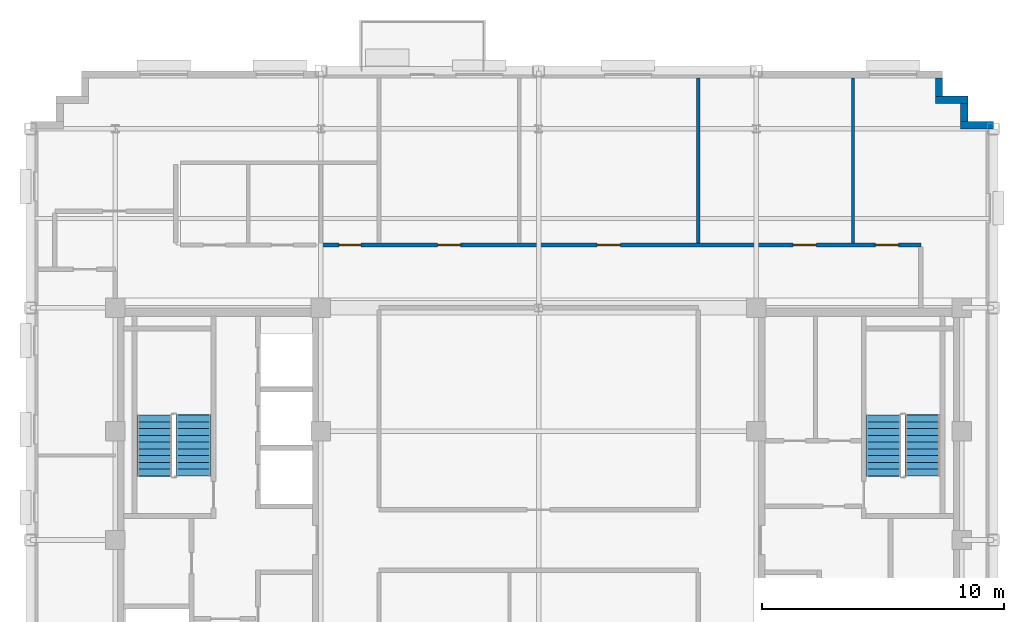
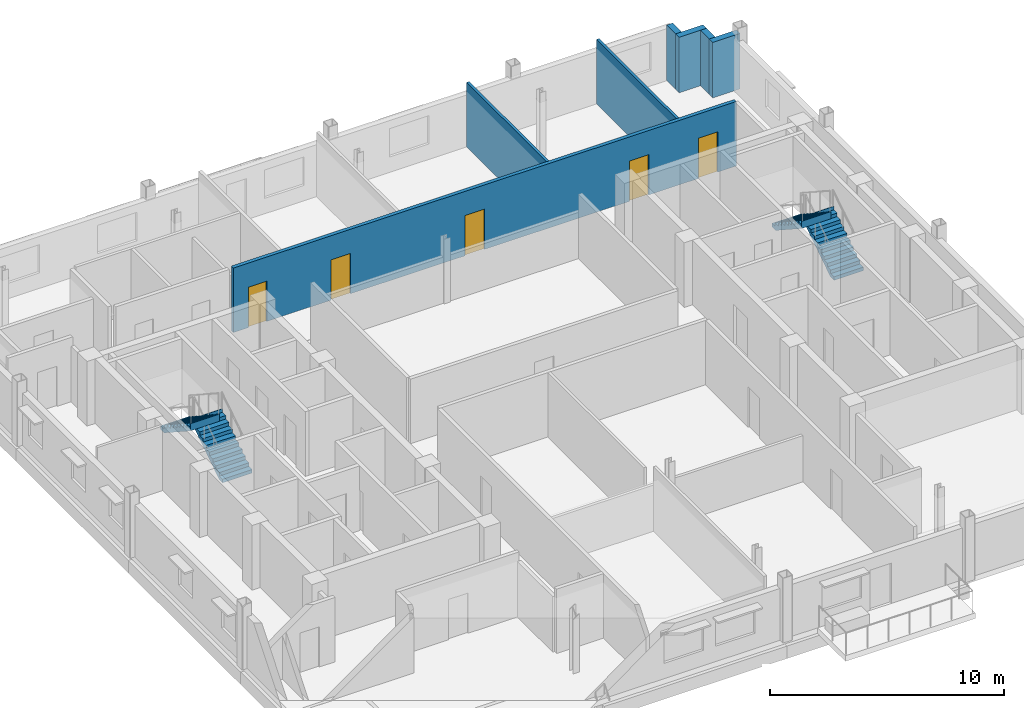
# One storey, part 9 of 13: 7 walls, 5 doors, 4 stair flights, 5 openings, 2 elements without a shape of their own.
"""IFC4 building model written with IfcOpenShell, lengths in metres."""

from ifc_helpers import new_model, si_unit, direction, frame, frame_2d, origin, place, context, subcontext, project, spatial, polyline, rectangle, outline, extrude, source, transform, mapped, material, layer, layer_set, type_object, type_shapes, element, fill, aggregate, save


model = new_model("IFC4")

# Units and contexts
model_context = context("Model", 3, precision=1e-05, world=origin(), true_north=direction((0.0, 1.0)))
body_context = subcontext(model_context, "Body", "Model", "MODEL_VIEW")
ifc_project = project(units=[si_unit("LENGTHUNIT", "METRE"), si_unit("AREAUNIT", "SQUARE_METRE"), si_unit("VOLUMEUNIT", "CUBIC_METRE"), si_unit("PLANEANGLEUNIT", "RADIAN"), si_unit("MASSUNIT", "GRAM", prefix="KILO")], contexts=[model_context])

# Site, building, storey
site_placement = place(None, origin())
site = spatial("IfcSite", under=ifc_project, at=site_placement, CompositionType="ELEMENT")
building_placement = place(site_placement, origin())
building = spatial("IfcBuilding", under=site, at=building_placement, Name="Nuvemarco Arch Tower", CompositionType="ELEMENT")
storey_placement = place(building_placement, frame((0.0, 0.0, 265.25)))
storey = spatial("IfcBuildingStorey", under=building, at=storey_placement, Name="L70", CompositionType="ELEMENT", Elevation=265.25)

# Walls
ifc_material_1 = material(Name="Precast concrete C45/55", Category="concrete")
ifc_layer_1 = layer(ifc_material_1, 0.300048828125, Name="EW-HIGH-300")
ifc_layer_set_1 = layer_set([ifc_layer_1], Name="Precast concrete C45/55")
wall_type_1 = type_object("IfcWallType", Name="EW-HIGH-300", PredefinedType="STANDARD", material=ifc_layer_set_1)
wall_1_placement = place(storey_placement, frame((17.449951171875, 17.14990234375, 0.0), z_axis=(0.0, 0.0, 1.0), x_axis=(1.0, 0.0, 0.0)))
element("IfcWall", 1, at=wall_1_placement, inside=storey, type_object=wall_type_1, Name="L70 exterior precast facade wall 7", PredefinedType="STANDARD", context=body_context, shape_type="SweptSolid", body=[
    extrude(rectangle(XDim=1.35009765625, YDim=0.300048828125, at=frame_2d((0.675048828125, 0.0))), origin(), (0.0, 0.0, 1.0), 2.89208984375),
])
wall_2_placement = place(storey_placement, frame((17.60009765625, 17.2958984375, 0.0), z_axis=(0.0, 0.0, 1.0), x_axis=(0.0, 1.0, 0.0)))
element("IfcWall", 2, at=wall_2_placement, inside=storey, type_object=wall_type_1, Name="L70 exterior precast facade wall 8", PredefinedType="STANDARD", context=body_context, shape_type="SweptSolid", body=[
    extrude(rectangle(XDim=0.758056640625, YDim=0.300048828125, at=frame_2d((0.37890625, 0.0))), origin(), (0.0, 0.0, 1.0), 2.89208984375),
])
wall_3_placement = place(storey_placement, frame((16.39990234375, 18.199951171875, 0.0), z_axis=(0.0, 0.0, 1.0), x_axis=(1.0, 0.0, 0.0)))
element("IfcWall", 3, at=wall_3_placement, inside=storey, type_object=wall_type_1, Name="L70 exterior precast facade wall 9", PredefinedType="STANDARD", context=body_context, shape_type="SweptSolid", body=[
    extrude(rectangle(XDim=1.35009765625, YDim=0.300048828125, at=frame_2d((0.675048828125, 0.0))), origin(), (0.0, 0.0, 1.0), 2.89208984375),
])
wall_4_placement = place(storey_placement, frame((16.550048828125, 18.345947265625, 0.0), z_axis=(0.0, 0.0, 1.0), x_axis=(0.0, 1.0, 0.0)))
element("IfcWall", 4, at=wall_4_placement, inside=storey, type_object=wall_type_1, Name="L70 exterior precast facade wall 10", PredefinedType="STANDARD", context=body_context, shape_type="SweptSolid", body=[
    extrude(rectangle(XDim=0.758056640625, YDim=0.300048828125, at=frame_2d((0.37890625, 0.0))), origin(), (0.0, 0.0, 1.0), 2.89208984375),
])

# Wall, openings, doors
ifc_material_2 = material(Name="Fire-rated gypsum drywall partition")
ifc_layer_2 = layer(ifc_material_2, 0.179931640625, Name="WL-CORR-180")
ifc_layer_set_2 = layer_set([ifc_layer_2], Name="Fire-rated gypsum drywall partition")
wall_type_2 = type_object("IfcWallType", Name="WL-CORR-180", PredefinedType="PARTITIONING", material=ifc_layer_set_2)
wall_5_placement = place(storey_placement, frame((-9.0, 12.199951171875, 0.0), z_axis=(0.0, 0.0, 1.0), x_axis=(1.0, 0.0, 0.0)))
wall_5 = element("IfcWall", 5, at=wall_5_placement, inside=storey, type_object=wall_type_2, Name="L70 interior wall IW-L70-015", PredefinedType="PARTITIONING", context=body_context, shape_type="SweptSolid", body=[
    extrude(rectangle(XDim=24.800048828125, YDim=0.179931640625, at=frame_2d((12.39990234375, 0.0))), origin(), (0.0, 0.0, 1.0), 3.360107421875),
])
opening_1_placement = place(wall_5_placement, frame((11.419921875, 0.0, 0.0)))
opening_1 = element("IfcOpeningElement", 6, at=opening_1_placement, cuts=wall_5, Name="Opening FD-5", PredefinedType="OPENING", context=body_context, shape_type="SweptSolid", body=[
    extrude(rectangle(XDim=0.9599609375, YDim=2.10009765625, at=frame_2d((0.47998046875, 1.050048828125))), frame((0.0, 0.099853515625, 0.0), z_axis=(0.0, -1.0, 0.0), x_axis=(1.0, 0.0, 0.0)), (0.0, 0.0, 1.0), 0.199951171875),
])
opening_2_placement = place(wall_5_placement, frame((4.820068359375, 0.0, 0.0)))
opening_2 = element("IfcOpeningElement", 7, at=opening_2_placement, cuts=wall_5, Name="Opening FD-5", PredefinedType="OPENING", context=body_context, shape_type="SweptSolid", body=[
    extrude(rectangle(XDim=0.9599609375, YDim=2.10009765625, at=frame_2d((0.47998046875, 1.050048828125))), frame((0.0, 0.099853515625, 0.0), z_axis=(0.0, -1.0, 0.0), x_axis=(1.0, 0.0, 0.0)), (0.0, 0.0, 1.0), 0.199951171875),
])
opening_3_placement = place(wall_5_placement, frame((19.52001953125, 0.0, 0.0)))
opening_3 = element("IfcOpeningElement", 8, at=opening_3_placement, cuts=wall_5, Name="Opening FD-5", PredefinedType="OPENING", context=body_context, shape_type="SweptSolid", body=[
    extrude(rectangle(XDim=0.9599609375, YDim=2.10009765625, at=frame_2d((0.47998046875, 1.050048828125))), frame((0.0, 0.099853515625, 0.0), z_axis=(0.0, -1.0, 0.0), x_axis=(1.0, 0.0, 0.0)), (0.0, 0.0, 1.0), 0.199951171875),
])
opening_4_placement = place(wall_5_placement, frame((22.919921875, 0.0, 0.0)))
opening_4 = element("IfcOpeningElement", 9, at=opening_4_placement, cuts=wall_5, Name="Opening FD-5", PredefinedType="OPENING", context=body_context, shape_type="SweptSolid", body=[
    extrude(rectangle(XDim=0.9599609375, YDim=2.10009765625, at=frame_2d((0.47998046875, 1.050048828125))), frame((0.0, 0.099853515625, 0.0), z_axis=(0.0, -1.0, 0.0), x_axis=(1.0, 0.0, 0.0)), (0.0, 0.0, 1.0), 0.199951171875),
])
opening_5_placement = place(wall_5_placement, frame((0.75, 0.0, 0.0)))
opening_5 = element("IfcOpeningElement", 10, at=opening_5_placement, cuts=wall_5, Name="Opening ID-3", PredefinedType="OPENING", context=body_context, shape_type="SweptSolid", body=[
    extrude(rectangle(XDim=0.89990234375, YDim=2.10009765625, at=frame_2d((0.449951171875, 1.050048828125))), frame((0.0, 0.099853515625, 0.0), z_axis=(0.0, -1.0, 0.0), x_axis=(1.0, 0.0, 0.0)), (0.0, 0.0, 1.0), 0.199951171875),
])
ifc_material_3 = material(Name="Timber fire door", Category="wood")
door_type_1 = type_object("IfcDoorType", Name="DR-CORR-FD", OperationType="NOTDEFINED", PredefinedType="DOOR", material=ifc_material_3)
shared_shape_1 = source(origin(), body_context, "Body", "SweptSolid", [
    extrude(rectangle(XDim=0.9599609375, YDim=2.10009765625, at=frame_2d((0.47998046875, 1.050048828125))), frame((0.0, 0.02490234375, 0.0), z_axis=(0.0, -1.0, 0.0), x_axis=(1.0, 0.0, 0.0)), (0.0, 0.0, 1.0), 0.050048828125),
])
type_shapes(door_type_1, [shared_shape_1])
door_1_placement = place(opening_1_placement, origin())
door_1 = element("IfcDoor", 11, at=door_1_placement, inside=storey, type_object=door_type_1, Name="L70 door DR-L70-N_3", OperationType="SINGLE_SWING_LEFT", OverallHeight=2.10009765625, OverallWidth=0.9599609375, PredefinedType="DOOR", context=body_context, shape_type="MappedRepresentation", body=[
    mapped(shared_shape_1, transform((0.0, 0.0, 0.0), scale=1.0)),
])
fill(opening_1, door_1)
door_2_placement = place(opening_2_placement, origin())
door_2 = element("IfcDoor", 12, at=door_2_placement, inside=storey, type_object=door_type_1, Name="L70 door DR-L70-N_2", OperationType="SINGLE_SWING_RIGHT", OverallHeight=2.10009765625, OverallWidth=0.9599609375, PredefinedType="DOOR", context=body_context, shape_type="MappedRepresentation", body=[
    mapped(shared_shape_1, transform((0.0, 0.0, 0.0), scale=1.0)),
])
fill(opening_2, door_2)
door_3_placement = place(opening_3_placement, origin())
door_3 = element("IfcDoor", 13, at=door_3_placement, inside=storey, type_object=door_type_1, Name="L70 door DR-L70-N_4", OperationType="SINGLE_SWING_LEFT", OverallHeight=2.10009765625, OverallWidth=0.9599609375, PredefinedType="DOOR", context=body_context, shape_type="MappedRepresentation", body=[
    mapped(shared_shape_1, transform((0.0, 0.0, 0.0), scale=1.0)),
])
fill(opening_3, door_3)
door_4_placement = place(opening_4_placement, origin())
door_4 = element("IfcDoor", 14, at=door_4_placement, inside=storey, type_object=door_type_1, Name="L70 door DR-L70-N_5", OperationType="SINGLE_SWING_LEFT", OverallHeight=2.10009765625, OverallWidth=0.9599609375, PredefinedType="DOOR", context=body_context, shape_type="MappedRepresentation", body=[
    mapped(shared_shape_1, transform((0.0, 0.0, 0.0), scale=1.0)),
])
fill(opening_4, door_4)
ifc_material_4 = material(Name="Veneered oak timber fire door", Category="wood")
door_type_2 = type_object("IfcDoorType", Name="DR-WC-ACC", OperationType="NOTDEFINED", PredefinedType="DOOR", material=ifc_material_4)
shared_shape_2 = source(origin(), body_context, "Body", "SweptSolid", [
    extrude(rectangle(XDim=0.89990234375, YDim=2.10009765625, at=frame_2d((0.449951171875, 1.050048828125))), frame((0.0, 0.02490234375, 0.0), z_axis=(0.0, -1.0, 0.0), x_axis=(1.0, 0.0, 0.0)), (0.0, 0.0, 1.0), 0.050048828125),
])
type_shapes(door_type_2, [shared_shape_2])
door_5_placement = place(opening_5_placement, origin())
door_5 = element("IfcDoor", 15, at=door_5_placement, inside=storey, type_object=door_type_2, Name="L70 door DR-L70-WC_ACC", OperationType="SINGLE_SWING_RIGHT", OverallHeight=2.10009765625, OverallWidth=0.89990234375, PredefinedType="DOOR", context=body_context, shape_type="MappedRepresentation", body=[
    mapped(shared_shape_2, transform((0.0, 0.0, 0.0), scale=1.0)),
])
fill(opening_5, door_5)

# Walls
ifc_material_5 = material(Name="Glazed acoustic office partition")
ifc_layer_3 = layer(ifc_material_5, 0.1298828125, Name="WL-EXEC-130")
ifc_layer_set_3 = layer_set([ifc_layer_3], Name="Glazed acoustic office partition")
wall_type_3 = type_object("IfcWallType", Name="WL-EXEC-130", PredefinedType="PARTITIONING", material=ifc_layer_set_3)
for number, where, z_axis, x_axis, name in (
    (16, (6.60009765625, 12.285888671875, 0.0), (0.0, 0.0, 1.0), (0.0, 1.0, 0.0), "L70 interior wall IW-L70-035"),
    (17, (13.0, 12.285888671875, 0.0), (0.0, 0.0, 1.0), (0.0, 1.0, 0.0), "L70 interior wall IW-L70-037"),
):
    element("IfcWall", number, at=place(storey_placement, frame(where, z_axis=z_axis, x_axis=x_axis)), inside=storey, type_object=wall_type_3, Name=name, PredefinedType="PARTITIONING", context=body_context, shape_type="SweptSolid", body=[
        extrude(rectangle(XDim=6.814208984375, YDim=0.1298828125, at=frame_2d((3.4072265625, 0.0))), origin(), (0.0, 0.0, 1.0), 3.360107421875),
    ])

# Stair, stair flights
stair_type = type_object("IfcStairType", Name="ST-CORE-20R", PredefinedType="HALF_TURN_STAIR", material=ifc_material_1)
stair_1_placement = place(storey_placement, origin())
stair_1 = element("IfcStair", 18, at=stair_1_placement, inside=storey, type_object=stair_type, Name="L70 Protected Exit Stair ST-1", PredefinedType="HALF_TURN_STAIR")
stair_flight_type = type_object("IfcStairFlightType", Name="SF-CORE-20R", PredefinedType="STRAIGHT", material=ifc_material_1)
stair_flight_1_placement = place(storey_placement, frame((-14.264892578125, 2.64990234375, 0.0), z_axis=(0.0, 0.0, 1.0), x_axis=(0.0, 1.0, 0.0)))
stair_flight_1 = element("IfcStairFlight", 19, at=stair_flight_1_placement, type_object=stair_flight_type, Name="ST-20R flight 1", NumberOfRisers=10, NumberOfTreads=9, PredefinedType="STRAIGHT", RiserHeight=0.1825, TreadLength=0.28, context=body_context, shape_type="SweptSolid", body=[
    extrude(outline(polyline([(0.0, 0.0), (0.0, 0.1826171875), (0.280029296875, 0.1826171875), (0.280029296875, 0.364990234375), (0.56005859375, 0.364990234375), (0.56005859375, 0.547607421875), (0.840087890625, 0.547607421875), (0.840087890625, 0.72998046875), (1.1201171875, 0.72998046875), (1.1201171875, 0.91259765625), (1.39990234375, 0.91259765625), (1.39990234375, 1.094970703125), (1.679931640625, 1.094970703125), (1.679931640625, 1.277587890625), (1.9599609375, 1.277587890625), (1.9599609375, 1.4599609375), (2.239990234375, 1.4599609375), (2.239990234375, 1.642578125), (2.52001953125, 1.642578125), (2.52001953125, 1.824951171875), (2.5400390625, 1.824951171875), (2.5400390625, 1.45166015625), (0.312744140625, 0.0), (0.0, 0.0)])), frame((0.0, 0.72509765625, 0.0), z_axis=(0.0, -1.0, 0.0), x_axis=(1.0, 0.0, 0.0)), (0.0, 0.0, 1.0), 1.449951171875),
])
stair_flight_2_placement = place(storey_placement, frame((-15.875, 5.169921875, 1.824951171875), z_axis=(0.0, 0.0, 1.0), x_axis=(0.0, -1.0, 0.0)))
stair_flight_2 = element("IfcStairFlight", 20, at=stair_flight_2_placement, type_object=stair_flight_type, Name="ST-20R flight 2", NumberOfRisers=10, NumberOfTreads=9, PredefinedType="STRAIGHT", RiserHeight=0.1825, TreadLength=0.28, context=body_context, shape_type="SweptSolid", body=[
    extrude(outline(polyline([(0.0, 0.0), (0.0, 0.1826171875), (0.280029296875, 0.1826171875), (0.280029296875, 0.364990234375), (0.56005859375, 0.364990234375), (0.56005859375, 0.547607421875), (0.840087890625, 0.547607421875), (0.840087890625, 0.72998046875), (1.1201171875, 0.72998046875), (1.1201171875, 0.91259765625), (1.39990234375, 0.91259765625), (1.39990234375, 1.094970703125), (1.679931640625, 1.094970703125), (1.679931640625, 1.277587890625), (1.9599609375, 1.277587890625), (1.9599609375, 1.4599609375), (2.239990234375, 1.4599609375), (2.239990234375, 1.642578125), (2.52001953125, 1.642578125), (2.52001953125, 1.824951171875), (2.5400390625, 1.824951171875), (2.5400390625, 1.45166015625), (0.312744140625, 0.0), (0.0, 0.0)])), frame((0.0, 0.72509765625, 0.0), z_axis=(0.0, -1.0, 0.0), x_axis=(1.0, 0.0, 0.0)), (0.0, 0.0, 1.0), 1.449951171875),
])
aggregate(stair_1, [stair_flight_1, stair_flight_2])

stair_2_placement = place(storey_placement, origin())
stair_2 = element("IfcStair", 21, at=stair_2_placement, inside=storey, type_object=stair_type, Name="L70 Protected Exit Stair ST-2", PredefinedType="HALF_TURN_STAIR")
stair_flight_3_placement = place(storey_placement, frame((15.875, 2.64990234375, 0.0), z_axis=(0.0, 0.0, 1.0), x_axis=(0.0, 1.0, 0.0)))
stair_flight_3 = element("IfcStairFlight", 22, at=stair_flight_3_placement, type_object=stair_flight_type, Name="ST-20R flight 1", NumberOfRisers=10, NumberOfTreads=9, PredefinedType="STRAIGHT", RiserHeight=0.1825, TreadLength=0.28, context=body_context, shape_type="SweptSolid", body=[
    extrude(outline(polyline([(0.0, 0.0), (0.0, 0.1826171875), (0.280029296875, 0.1826171875), (0.280029296875, 0.364990234375), (0.56005859375, 0.364990234375), (0.56005859375, 0.547607421875), (0.840087890625, 0.547607421875), (0.840087890625, 0.72998046875), (1.1201171875, 0.72998046875), (1.1201171875, 0.91259765625), (1.39990234375, 0.91259765625), (1.39990234375, 1.094970703125), (1.679931640625, 1.094970703125), (1.679931640625, 1.277587890625), (1.9599609375, 1.277587890625), (1.9599609375, 1.4599609375), (2.239990234375, 1.4599609375), (2.239990234375, 1.642578125), (2.52001953125, 1.642578125), (2.52001953125, 1.824951171875), (2.5400390625, 1.824951171875), (2.5400390625, 1.45166015625), (0.312744140625, 0.0), (0.0, 0.0)])), frame((0.0, 0.72509765625, 0.0), z_axis=(0.0, -1.0, 0.0), x_axis=(1.0, 0.0, 0.0)), (0.0, 0.0, 1.0), 1.449951171875),
])
stair_flight_4_placement = place(storey_placement, frame((14.264892578125, 5.169921875, 1.824951171875), z_axis=(0.0, 0.0, 1.0), x_axis=(0.0, -1.0, 0.0)))
stair_flight_4 = element("IfcStairFlight", 23, at=stair_flight_4_placement, type_object=stair_flight_type, Name="ST-20R flight 2", NumberOfRisers=10, NumberOfTreads=9, PredefinedType="STRAIGHT", RiserHeight=0.1825, TreadLength=0.28, context=body_context, shape_type="SweptSolid", body=[
    extrude(outline(polyline([(0.0, 0.0), (0.0, 0.1826171875), (0.280029296875, 0.1826171875), (0.280029296875, 0.364990234375), (0.56005859375, 0.364990234375), (0.56005859375, 0.547607421875), (0.840087890625, 0.547607421875), (0.840087890625, 0.72998046875), (1.1201171875, 0.72998046875), (1.1201171875, 0.91259765625), (1.39990234375, 0.91259765625), (1.39990234375, 1.094970703125), (1.679931640625, 1.094970703125), (1.679931640625, 1.277587890625), (1.9599609375, 1.277587890625), (1.9599609375, 1.4599609375), (2.239990234375, 1.4599609375), (2.239990234375, 1.642578125), (2.52001953125, 1.642578125), (2.52001953125, 1.824951171875), (2.5400390625, 1.824951171875), (2.5400390625, 1.45166015625), (0.312744140625, 0.0), (0.0, 0.0)])), frame((0.0, 0.72509765625, 0.0), z_axis=(0.0, -1.0, 0.0), x_axis=(1.0, 0.0, 0.0)), (0.0, 0.0, 1.0), 1.449951171875),
])
aggregate(stair_2, [stair_flight_3, stair_flight_4])

save(model, "model.ifc")
